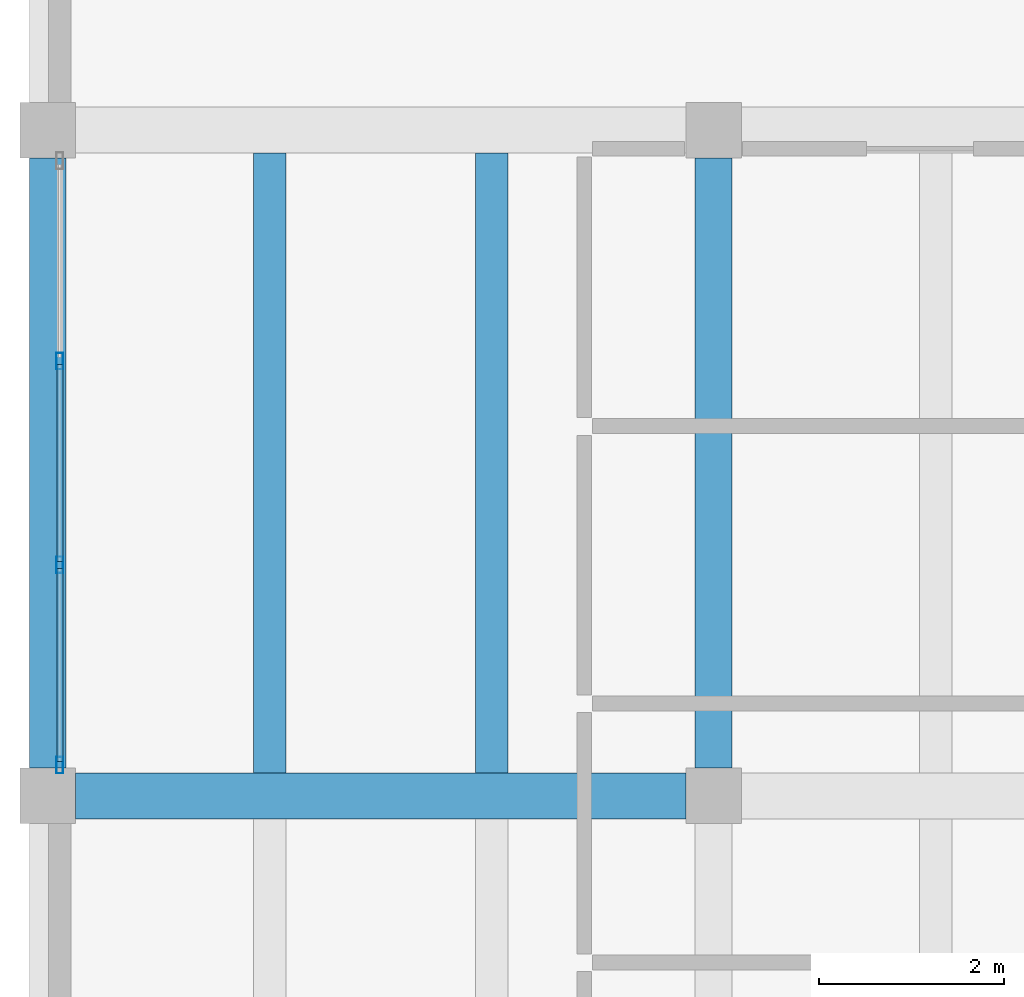
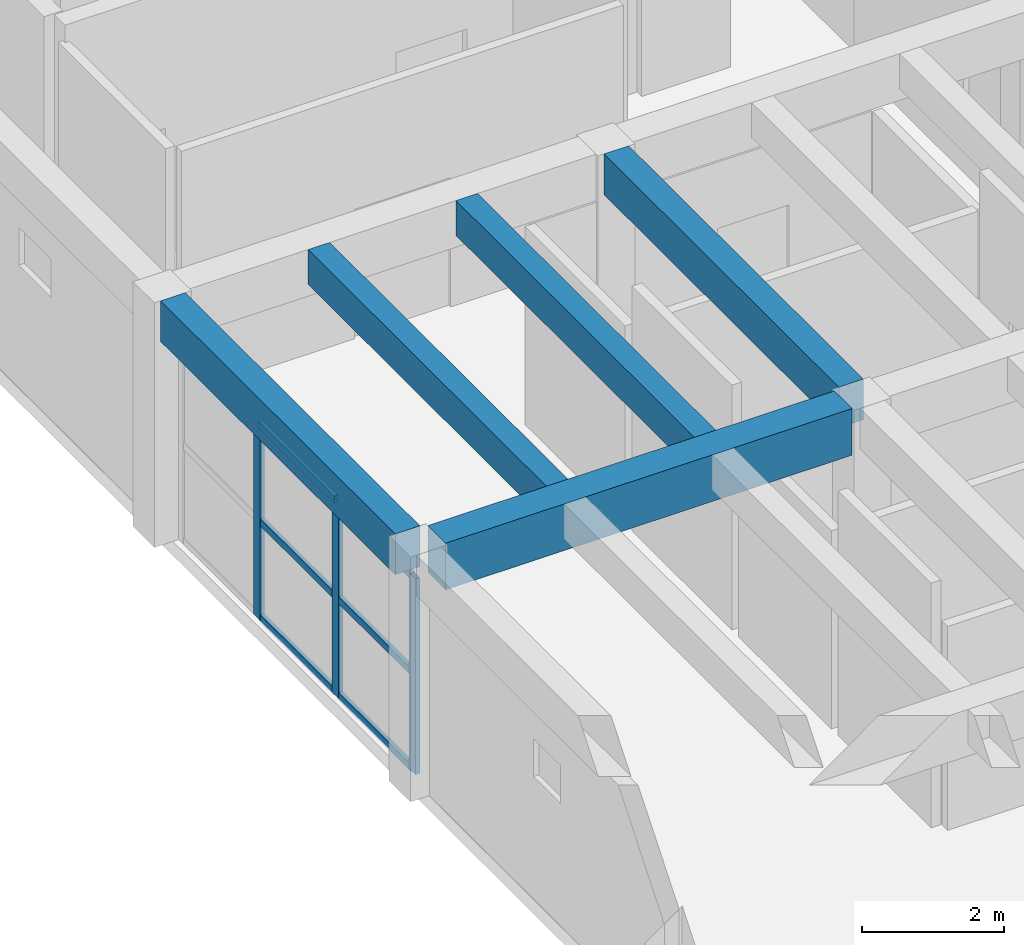
# One storey, part 65 of 153: 9 members, 5 beams, 1 element without a shape of its own.
"""IFC4 building model written with IfcOpenShell, lengths in metres."""

from ifc_helpers import new_model, si_unit, direction, frame, origin, origin_2d, place, context, subcontext, project, spatial, rectangle, hollow_rectangle, extrude, material, material_profile, profile_set, type_object, element, aggregate, save


model = new_model("IFC4")

# Units and contexts
model_context = context("Model", 3, precision=1e-05, world=origin(), true_north=direction((0.0, 1.0)))
body_context = subcontext(model_context, "Body", "Model", "MODEL_VIEW")
ifc_project = project(units=[si_unit("LENGTHUNIT", "METRE"), si_unit("AREAUNIT", "SQUARE_METRE"), si_unit("VOLUMEUNIT", "CUBIC_METRE"), si_unit("PLANEANGLEUNIT", "RADIAN"), si_unit("MASSUNIT", "GRAM", prefix="KILO")], contexts=[model_context])

# Site, building, storey
site_placement = place(None, origin())
site = spatial("IfcSite", under=ifc_project, at=site_placement, CompositionType="ELEMENT")
building_placement = place(site_placement, origin())
building = spatial("IfcBuilding", under=site, at=building_placement, Name="Bramvelor Terrace Health Centre", CompositionType="ELEMENT")
storey_placement = place(building_placement, frame((0.0, 0.0, 4.800048828125)))
storey = spatial("IfcBuildingStorey", under=building, at=storey_placement, Name="L02", CompositionType="ELEMENT", Elevation=4.800048828125)

# Beams
ifc_material_1 = material(Name="Concrete C40/50", Category="concrete")
ifc_material_profile_1 = material_profile(ifc_material_1, rectangle(XDim=0.39990234375, YDim=0.699951171875, at=origin_2d()), Name="RC 400x700")
ifc_profile_set_1 = profile_set([ifc_material_profile_1], Name="Concrete C40/50")
beam_type_1 = type_object("IfcBeamType", Name="BM-RC-G700", PredefinedType="BEAM", material=ifc_profile_set_1)
beam_1_placement = place(storey_placement, frame((7.199951171875, 93.89990234375, 3.849853515625), z_axis=(0.0, 1.0, 0.0), x_axis=(-1.0, 0.0, 0.0)))
element("IfcBeam", 1, at=beam_1_placement, inside=storey, type_object=beam_type_1, Name="L02 Floor Girder", PredefinedType="BEAM", context=body_context, shape_type="SweptSolid", body=[
    extrude(rectangle(XDim=0.39990234375, YDim=0.699951171875, at=origin_2d()), origin(), (0.0, 0.0, 1.0), 6.60009765625),
])
ifc_material_2 = material(Name="Concrete C40/50", Category="concrete")
ifc_material_profile_2 = material_profile(ifc_material_2, rectangle(XDim=0.5, YDim=0.800048828125, at=origin_2d()), Name="RC 500x800")
ifc_profile_set_2 = profile_set([ifc_material_profile_2], Name="Concrete C40/50")
beam_type_2 = type_object("IfcBeamType", Name="BM-RC-G800", PredefinedType="BEAM", material=ifc_profile_set_2)
beam_2_placement = place(storey_placement, frame((0.300048828125, 93.60009765625, 3.800048828125), z_axis=(1.0, 0.0, 0.0), x_axis=(0.0, 1.0, 0.0)))
element("IfcBeam", 2, at=beam_2_placement, inside=storey, type_object=beam_type_2, Name="L02 Floor Girder", PredefinedType="BEAM", context=body_context, shape_type="SweptSolid", body=[
    extrude(rectangle(XDim=0.5, YDim=0.800048828125, at=origin_2d()), origin(), (0.0, 0.0, 1.0), 6.599853515625),
])
ifc_material_3 = material(Name="Concrete C40/50", Category="concrete")
ifc_material_profile_3 = material_profile(ifc_material_3, rectangle(XDim=0.35009765625, YDim=0.60009765625, at=origin_2d()), Name="RC 350x600")
ifc_profile_set_3 = profile_set([ifc_material_profile_3], Name="Concrete C40/50")
beam_type_3 = type_object("IfcBeamType", Name="BM-RC-J600", PredefinedType="JOIST", material=ifc_profile_set_3)
for number, where, z_axis, x_axis, name in (
    (3, (2.39990234375, 93.85009765625, 3.89990234375), (0.0, 1.0, 0.0), (-1.0, 0.0, 0.0), "L02 Secondary Floor Joist"),
    (4, (4.800048828125, 93.85009765625, 3.89990234375), (0.0, 1.0, 0.0), (-1.0, 0.0, 0.0), "L02 Secondary Floor Joist"),
):
    element("IfcBeam", number, at=place(storey_placement, frame(where, z_axis=z_axis, x_axis=x_axis)), inside=storey, type_object=beam_type_3, Name=name, PredefinedType="JOIST", context=body_context, shape_type="SweptSolid", body=[
        extrude(rectangle(XDim=0.35009765625, YDim=0.60009765625, at=origin_2d()), origin(), (0.0, 0.0, 1.0), 6.699951171875),
    ])
ifc_material_4 = material(Name="Concrete C40/50", Category="concrete")
ifc_material_profile_4 = material_profile(ifc_material_4, rectangle(XDim=0.39990234375, YDim=0.699951171875, at=origin_2d()), Name="RC 400x700")
ifc_profile_set_4 = profile_set([ifc_material_profile_4], Name="Concrete C40/50")
beam_type_4 = type_object("IfcBeamType", Name="BM-RC-SP700-EXT", PredefinedType="SPANDREL", material=ifc_profile_set_4)
beam_3_placement = place(storey_placement, frame((0.0, 93.89990234375, 3.849853515625), z_axis=(0.0, 1.0, 0.0), x_axis=(-1.0, 0.0, 0.0)))
element("IfcBeam", 5, at=beam_3_placement, inside=storey, type_object=beam_type_4, Name="L02 Floor Girder", PredefinedType="SPANDREL", context=body_context, shape_type="SweptSolid", body=[
    extrude(rectangle(XDim=0.39990234375, YDim=0.699951171875, at=origin_2d()), origin(), (0.0, 0.0, 1.0), 6.60009765625),
])

# Curtain wall, members
ifc_material_5 = material(Name="Anodized aluminium and double low-E glass", Category="aluminium")
curtain_wall_type = type_object("IfcCurtainWallType", Name="CW-SYS-12", PredefinedType="NOTDEFINED", material=ifc_material_5)
curtain_wall_placement = place(storey_placement, origin())
curtain_wall = element("IfcCurtainWall", 6, at=curtain_wall_placement, inside=storey, type_object=curtain_wall_type, Name="L02 Unitized Curtain Wall 78", PredefinedType="NOTDEFINED")
ifc_material_6 = material(Name="Anodized aluminium 6063-T6", Category="aluminium")
ifc_material_profile_5 = material_profile(ifc_material_6, hollow_rectangle(XDim=0.074951171875, YDim=0.179931640625, WallThickness=0.00341796875, at=origin_2d()), Name="ALU-MUL 75x180x3.5")
ifc_profile_set_5 = profile_set([ifc_material_profile_5], Name="Anodized aluminium 6063-T6")
member_type_1 = type_object("IfcMemberType", Name="CW-MUL-65x180", PredefinedType="MULLION", material=ifc_profile_set_5)
member_1_placement = place(storey_placement, frame((0.1298828125, 93.9326171875, 0.0), z_axis=(0.0, 0.0, 1.0), x_axis=(-1.0, 0.0, 0.0)))
member_1 = element("IfcMember", 7, at=member_1_placement, type_object=member_type_1, Name="CW-12 mullion 1", PredefinedType="MULLION", context=body_context, shape_type="SweptSolid", body=[
    extrude(hollow_rectangle(XDim=0.074951171875, YDim=0.179931640625, WallThickness=0.00341796875, at=origin_2d()), origin(), (0.0, 0.0, 1.0), 3.35986328125),
])
member_2_placement = place(storey_placement, frame((0.1298828125, 96.098388671875, 0.0), z_axis=(0.0, 0.0, 1.0), x_axis=(-1.0, 0.0, 0.0)))
member_2 = element("IfcMember", 8, at=member_2_placement, type_object=member_type_1, Name="CW-12 mullion 2", PredefinedType="MULLION", context=body_context, shape_type="SweptSolid", body=[
    extrude(hollow_rectangle(XDim=0.074951171875, YDim=0.179931640625, WallThickness=0.00341796875, at=origin_2d()), origin(), (0.0, 0.0, 1.0), 3.35986328125),
])
member_3_placement = place(storey_placement, frame((0.1298828125, 98.3017578125, 0.0), z_axis=(0.0, 0.0, 1.0), x_axis=(-1.0, 0.0, 0.0)))
member_3 = element("IfcMember", 9, at=member_3_placement, type_object=member_type_1, Name="CW-12 mullion 3", PredefinedType="MULLION", context=body_context, shape_type="SweptSolid", body=[
    extrude(hollow_rectangle(XDim=0.074951171875, YDim=0.179931640625, WallThickness=0.00341796875, at=origin_2d()), origin(), (0.0, 0.0, 1.0), 3.35986328125),
])
ifc_material_7 = material(Name="Anodized aluminium 6063-T6", Category="aluminium")
ifc_material_profile_6 = material_profile(ifc_material_7, hollow_rectangle(XDim=0.06494140625, YDim=0.1201171875, WallThickness=0.0029296875, at=origin_2d()), Name="ALU-TRN 65x120x3.0")
ifc_profile_set_6 = profile_set([ifc_material_profile_6], Name="Anodized aluminium 6063-T6")
member_type_2 = type_object("IfcMemberType", Name="CW-TRN-65x150", PredefinedType="USERDEFINED", material=ifc_profile_set_6)
member_4_placement = place(storey_placement, frame((0.1298828125, 93.969970703125, 0.032470703125), z_axis=(0.0, 1.0, 0.0), x_axis=(-1.0, 0.0, 0.0)))
member_4 = element("IfcMember", 10, at=member_4_placement, type_object=member_type_2, Name="CW-12 transom 1.1", ObjectType="TRANSOM", PredefinedType="USERDEFINED", context=body_context, shape_type="SweptSolid", body=[
    extrude(hollow_rectangle(XDim=0.06494140625, YDim=0.1201171875, WallThickness=0.0029296875, at=origin_2d()), origin(), (0.0, 0.0, 1.0), 2.0908203125),
])
member_5_placement = place(storey_placement, frame((0.1298828125, 93.969970703125, 1.679931640625), z_axis=(0.0, 1.0, 0.0), x_axis=(-1.0, 0.0, 0.0)))
member_5 = element("IfcMember", 11, at=member_5_placement, type_object=member_type_2, Name="CW-12 transom 1.2", ObjectType="TRANSOM", PredefinedType="USERDEFINED", context=body_context, shape_type="SweptSolid", body=[
    extrude(hollow_rectangle(XDim=0.06494140625, YDim=0.1201171875, WallThickness=0.0029296875, at=origin_2d()), origin(), (0.0, 0.0, 1.0), 2.0908203125),
])
member_6_placement = place(storey_placement, frame((0.1298828125, 93.969970703125, 3.327392578125), z_axis=(0.0, 1.0, 0.0), x_axis=(-1.0, 0.0, 0.0)))
member_6 = element("IfcMember", 12, at=member_6_placement, type_object=member_type_2, Name="CW-12 transom 1.3", ObjectType="TRANSOM", PredefinedType="USERDEFINED", context=body_context, shape_type="SweptSolid", body=[
    extrude(hollow_rectangle(XDim=0.06494140625, YDim=0.1201171875, WallThickness=0.0029296875, at=origin_2d()), origin(), (0.0, 0.0, 1.0), 2.0908203125),
])
member_7_placement = place(storey_placement, frame((0.1298828125, 96.1357421875, 0.032470703125), z_axis=(0.0, 1.0, 0.0), x_axis=(-1.0, 0.0, 0.0)))
member_7 = element("IfcMember", 13, at=member_7_placement, type_object=member_type_2, Name="CW-12 transom 2.1", ObjectType="TRANSOM", PredefinedType="USERDEFINED", context=body_context, shape_type="SweptSolid", body=[
    extrude(hollow_rectangle(XDim=0.06494140625, YDim=0.1201171875, WallThickness=0.0029296875, at=origin_2d()), origin(), (0.0, 0.0, 1.0), 2.12841796875),
])
member_8_placement = place(storey_placement, frame((0.1298828125, 96.1357421875, 1.679931640625), z_axis=(0.0, 1.0, 0.0), x_axis=(-1.0, 0.0, 0.0)))
member_8 = element("IfcMember", 14, at=member_8_placement, type_object=member_type_2, Name="CW-12 transom 2.2", ObjectType="TRANSOM", PredefinedType="USERDEFINED", context=body_context, shape_type="SweptSolid", body=[
    extrude(hollow_rectangle(XDim=0.06494140625, YDim=0.1201171875, WallThickness=0.0029296875, at=origin_2d()), origin(), (0.0, 0.0, 1.0), 2.12841796875),
])
member_9_placement = place(storey_placement, frame((0.1298828125, 96.1357421875, 3.327392578125), z_axis=(0.0, 1.0, 0.0), x_axis=(-1.0, 0.0, 0.0)))
member_9 = element("IfcMember", 15, at=member_9_placement, type_object=member_type_2, Name="CW-12 transom 2.3", ObjectType="TRANSOM", PredefinedType="USERDEFINED", context=body_context, shape_type="SweptSolid", body=[
    extrude(hollow_rectangle(XDim=0.06494140625, YDim=0.1201171875, WallThickness=0.0029296875, at=origin_2d()), origin(), (0.0, 0.0, 1.0), 2.12841796875),
])
aggregate(curtain_wall, [member_1, member_2, member_3, member_4, member_5, member_6, member_7, member_8, member_9])

save(model, "model.ifc")
